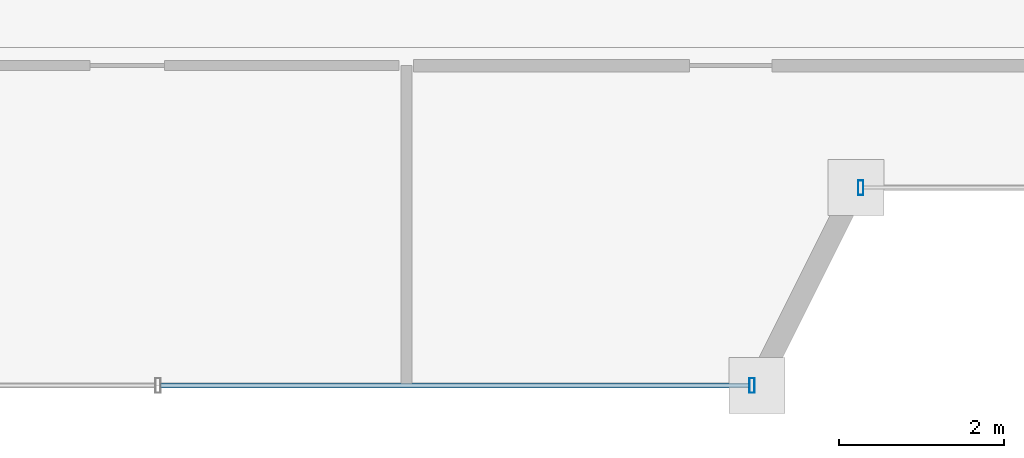
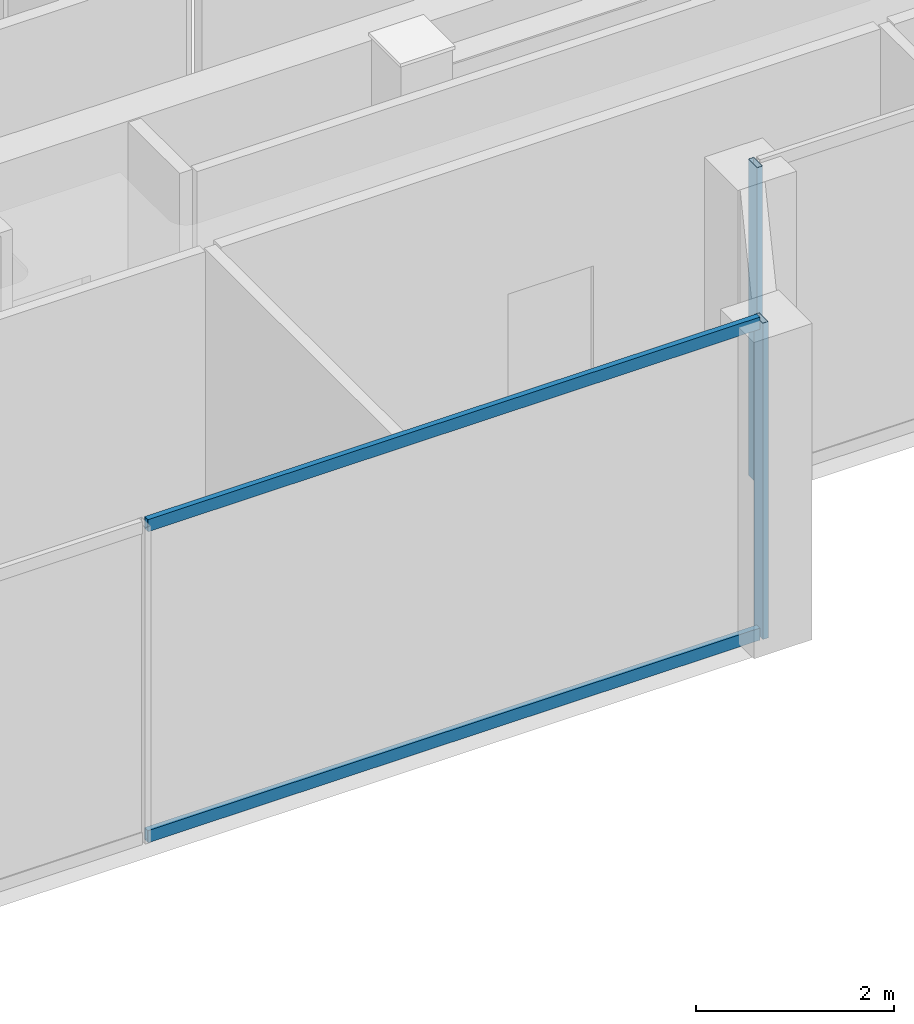
# One storey, part 4 of 17: 4 members, 2 elements without a shape of their own.
"""IFC4 building model written with IfcOpenShell, lengths in metres."""

from ifc_helpers import new_model, si_unit, direction, frame, origin, origin_2d, place, context, subcontext, project, spatial, hollow_rectangle, extrude, material, material_profile, profile_set, type_object, element, aggregate, save


model = new_model("IFC4")

# Units and contexts
model_context = context("Model", 3, precision=1e-05, world=origin(), true_north=direction((0.0, 1.0)))
body_context = subcontext(model_context, "Body", "Model", "MODEL_VIEW")
ifc_project = project(units=[si_unit("LENGTHUNIT", "METRE"), si_unit("AREAUNIT", "SQUARE_METRE"), si_unit("VOLUMEUNIT", "CUBIC_METRE"), si_unit("PLANEANGLEUNIT", "RADIAN"), si_unit("MASSUNIT", "GRAM", prefix="KILO")], contexts=[model_context])

# Site, building, storey
site_placement = place(None, origin())
site = spatial("IfcSite", under=ifc_project, at=site_placement, CompositionType="ELEMENT")
building_placement = place(site_placement, origin())
building = spatial("IfcBuilding", under=site, at=building_placement, Name="Saevonmaru Cultural Tower", CompositionType="ELEMENT")
storey_placement = place(building_placement, frame((0.0, 0.0, 323.39990234375)))
storey = spatial("IfcBuildingStorey", under=building, at=storey_placement, Name="L77", CompositionType="ELEMENT", Elevation=323.39990234375)

# Curtain wall, member
ifc_material = material(Name="Satin Bronze Anodised Aluminium", Category="aluminium")
curtain_wall_type = type_object("IfcCurtainWallType", Name="CW-SKY-GLZ", PredefinedType="NOTDEFINED", material=ifc_material)
curtain_wall_1_placement = place(storey_placement, origin())
curtain_wall_1 = element("IfcCurtainWall", 1, at=curtain_wall_1_placement, inside=storey, type_object=curtain_wall_type, Name="L77 Unitised Curtain Wall E2", PredefinedType="NOTDEFINED")
ifc_material_profile_1 = material_profile(ifc_material, hollow_rectangle(XDim=0.06494140625, YDim=0.179931640625, WallThickness=0.00390625, at=origin_2d()), Name="ALU-MULL-180x65x4")
ifc_profile_set_1 = profile_set([ifc_material_profile_1], Name="Satin Bronze Anodised Aluminium")
member_type_1 = type_object("IfcMemberType", Name="ML-CW-180x65", PredefinedType="MULLION", material=ifc_profile_set_1)
member_1_placement = place(storey_placement, frame((24.43994140625, 36.800048828125, 0.0), z_axis=(0.0, 0.0, 1.0), x_axis=(1.0, 0.0, 0.0)))
member_1 = element("IfcMember", 2, at=member_1_placement, type_object=member_type_1, Name="CW-TW-L77-E2 mullion 3", PredefinedType="MULLION", context=body_context, shape_type="SweptSolid", body=[
    extrude(hollow_rectangle(XDim=0.06494140625, YDim=0.179931640625, WallThickness=0.00390625, at=origin_2d()), origin(), (0.0, 0.0, 1.0), 3.900146484375),
])

curtain_wall_2_placement = place(storey_placement, origin())
curtain_wall_2 = element("IfcCurtainWall", 3, at=curtain_wall_2_placement, inside=storey, type_object=curtain_wall_type, Name="L77 Unitised Curtain Wall E4", PredefinedType="NOTDEFINED")
member_2_placement = place(storey_placement, frame((25.760009765625, 39.199951171875, 0.0), z_axis=(0.0, 0.0, 1.0), x_axis=(1.0, 0.0, 0.0)))
member_2 = element("IfcMember", 4, at=member_2_placement, type_object=member_type_1, Name="CW-TW-L77-E4 mullion 1", PredefinedType="MULLION", context=body_context, shape_type="SweptSolid", body=[
    extrude(hollow_rectangle(XDim=0.06494140625, YDim=0.179931640625, WallThickness=0.00390625, at=origin_2d()), origin(), (0.0, 0.0, 1.0), 3.900146484375),
])
aggregate(curtain_wall_2, [member_2])

# Member
ifc_material_profile_2 = material_profile(ifc_material, hollow_rectangle(XDim=0.06494140625, YDim=0.14990234375, WallThickness=0.00390625, at=origin_2d()), Name="ALU-TRAN-150x65x4")
ifc_profile_set_2 = profile_set([ifc_material_profile_2], Name="Satin Bronze Anodised Aluminium")
member_type_2 = type_object("IfcMemberType", Name="TR-CW-150x65", PredefinedType="USERDEFINED", material=ifc_profile_set_2)
member_3_placement = place(storey_placement, frame((17.26904296875, 36.800048828125, 0.03271484375), z_axis=(1.0, 0.0, 0.0), x_axis=(0.0, 1.0, 0.0)))
member_3 = element("IfcMember", 5, at=member_3_placement, type_object=member_type_2, Name="CW-TW-L77-E2 transom 2.1", ObjectType="TRANSOM", PredefinedType="USERDEFINED", context=body_context, shape_type="SweptSolid", body=[
    extrude(hollow_rectangle(XDim=0.06494140625, YDim=0.14990234375, WallThickness=0.00390625, at=origin_2d()), origin(), (0.0, 0.0, 1.0), 7.138427734375),
])

member_4_placement = place(storey_placement, frame((17.26904296875, 36.800048828125, 3.86767578125), z_axis=(1.0, 0.0, 0.0), x_axis=(0.0, 1.0, 0.0)))
member_4 = element("IfcMember", 6, at=member_4_placement, type_object=member_type_2, Name="CW-TW-L77-E2 transom 2.2", ObjectType="TRANSOM", PredefinedType="USERDEFINED", context=body_context, shape_type="SweptSolid", body=[
    extrude(hollow_rectangle(XDim=0.06494140625, YDim=0.14990234375, WallThickness=0.00390625, at=origin_2d()), origin(), (0.0, 0.0, 1.0), 7.138427734375),
])

aggregate(curtain_wall_1, [member_1, member_3, member_4])

save(model, "model.ifc")
